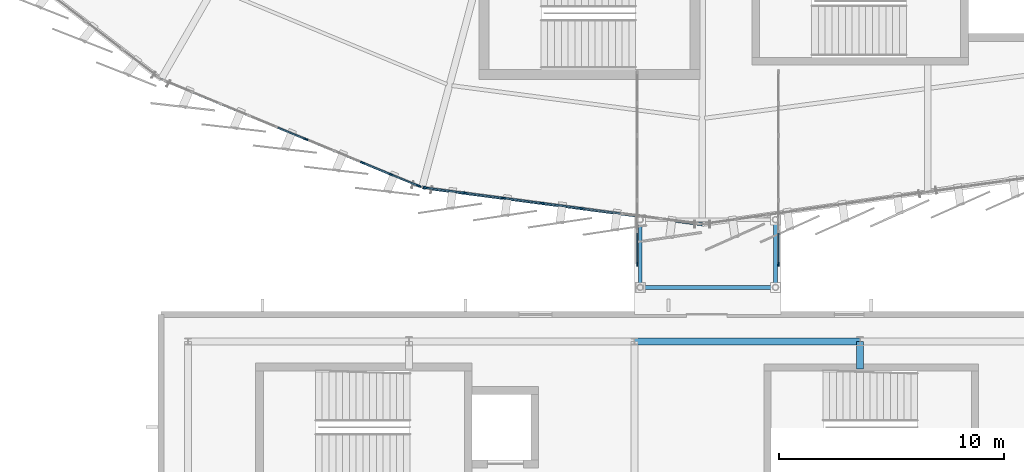
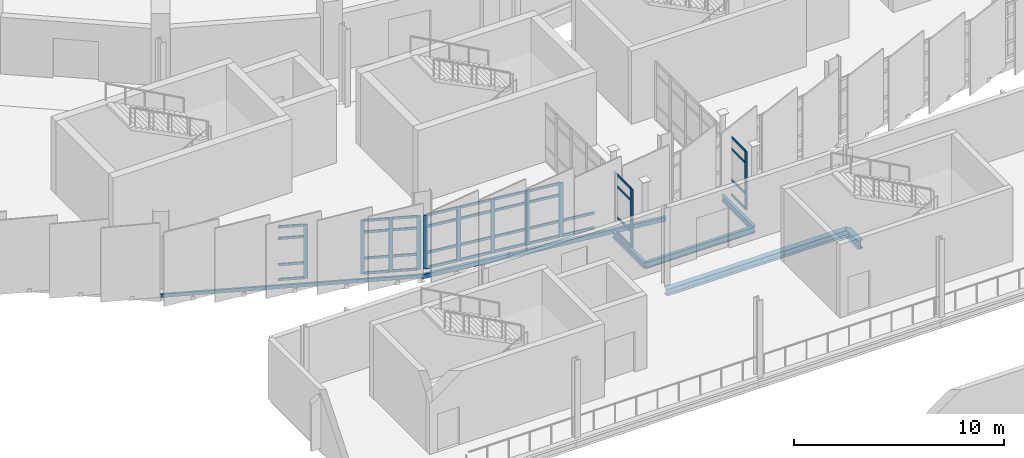
# One storey, part 33 of 134: 49 members, 7 beams, 4 elements without a shape of their own.
"""IFC4 building model written with IfcOpenShell, lengths in metres."""

from ifc_helpers import new_model, si_unit, direction, frame, origin, origin_2d, place, context, subcontext, project, spatial, rectangle, hollow_rectangle, i_section, extrude, material, layer, layer_set, material_profile, profile_set, type_object, element, aggregate, save


model = new_model("IFC4")

# Units and contexts
model_context = context("Model", 3, precision=1e-05, world=origin(), true_north=direction((0.0, 1.0)))
body_context = subcontext(model_context, "Body", "Model", "MODEL_VIEW")
ifc_project = project(units=[si_unit("LENGTHUNIT", "METRE"), si_unit("AREAUNIT", "SQUARE_METRE"), si_unit("VOLUMEUNIT", "CUBIC_METRE"), si_unit("PLANEANGLEUNIT", "RADIAN"), si_unit("MASSUNIT", "GRAM", prefix="KILO")], contexts=[model_context])

# Site, building, storey
site_placement = place(None, origin())
site = spatial("IfcSite", under=ifc_project, at=site_placement, CompositionType="ELEMENT")
building_placement = place(site_placement, origin())
building = spatial("IfcBuilding", under=site, at=building_placement, Name="Sohan Crest Arena", CompositionType="ELEMENT")
storey_placement = place(building_placement, frame((0.0, 0.0, 4.5)))
storey = spatial("IfcBuildingStorey", under=building, at=storey_placement, Name="L01", CompositionType="ELEMENT", Elevation=4.5)

# Curtain wall, member
ifc_material_1 = material(Name="Thermally broken anodised aluminium", Category="aluminium")
ifc_layer_1 = layer(ifc_material_1, 0.18994140625, Name="Thermally broken anodised aluminium")
ifc_layer_set_1 = layer_set([ifc_layer_1], Name="Thermally broken anodised aluminium")
curtain_wall_type_1 = type_object("IfcCurtainWallType", Name="ARC-CW05", PredefinedType="NOTDEFINED", material=ifc_layer_set_1)
curtain_wall_1_placement = place(storey_placement, origin())
curtain_wall_1 = element("IfcCurtainWall", 1, at=curtain_wall_1_placement, inside=storey, type_object=curtain_wall_type_1, Name="Unitised curtain wall CW-249", PredefinedType="NOTDEFINED")
ifc_material_profile_1 = material_profile(ifc_material_1, rectangle(XDim=0.06494140625, YDim=0.179931640625, at=origin_2d()), Name="ALU-MULL 65x180")
ifc_profile_set_1 = profile_set([ifc_material_profile_1], Name="Thermally broken anodised aluminium")
member_type_1 = type_object("IfcMemberType", Name="ARC-CW-ML02", PredefinedType="MULLION", material=ifc_profile_set_1)
member_1_placement = place(storey_placement, frame((95.1201171875, 28.232421875, 0.0), z_axis=(0.0, 0.0, 1.0), x_axis=(-1.0, 0.0, 0.0)))
member_1 = element("IfcMember", 2, at=member_1_placement, type_object=member_type_1, Name="CW-249 mullion 1", PredefinedType="MULLION", context=body_context, shape_type="SweptSolid", body=[
    extrude(rectangle(XDim=0.06494140625, YDim=0.179931640625, at=origin_2d()), origin(), (0.0, 0.0, 1.0), 3.39990234375),
])

curtain_wall_2_placement = place(storey_placement, origin())
curtain_wall_2 = element("IfcCurtainWall", 3, at=curtain_wall_2_placement, inside=storey, type_object=curtain_wall_type_1, Name="Unitised curtain wall CW-250", PredefinedType="NOTDEFINED")
member_2_placement = place(storey_placement, frame((101.3798828125, 28.232421875, 0.0), z_axis=(0.0, 0.0, 1.0), x_axis=(-1.0, 0.0, 0.0)))
member_2 = element("IfcMember", 4, at=member_2_placement, type_object=member_type_1, Name="CW-250 mullion 1", PredefinedType="MULLION", context=body_context, shape_type="SweptSolid", body=[
    extrude(rectangle(XDim=0.06494140625, YDim=0.179931640625, at=origin_2d()), origin(), (0.0, 0.0, 1.0), 3.39990234375),
])

# Curtain wall, members
curtain_wall_3_placement = place(storey_placement, origin())
curtain_wall_3 = element("IfcCurtainWall", 5, at=curtain_wall_3_placement, inside=storey, type_object=curtain_wall_type_1, Name="Unitised curtain wall CW-028", PredefinedType="NOTDEFINED")
ifc_material_profile_2 = material_profile(ifc_material_1, rectangle(XDim=0.070068359375, YDim=0.199951171875, at=origin_2d()), Name="ALU-MULL 70x200")
ifc_profile_set_2 = profile_set([ifc_material_profile_2], Name="Thermally broken anodised aluminium")
member_type_2 = type_object("IfcMemberType", Name="ARC-CW-ML03", PredefinedType="MULLION", material=ifc_profile_set_2)
member_3_placement = place(storey_placement, frame((80.418212890625, 33.772705078125, 0.0), z_axis=(0.0, 0.0, 1.0), x_axis=(0.382618103525, 0.923906589897, 0.0)))
member_3 = element("IfcMember", 6, at=member_3_placement, type_object=member_type_2, Name="CW-028 mullion 6", PredefinedType="MULLION", context=body_context, shape_type="SweptSolid", body=[
    extrude(rectangle(XDim=0.070068359375, YDim=0.199951171875, at=origin_2d()), origin(), (0.0, 0.0, 1.0), 3.1201171875),
])
member_4_placement = place(storey_placement, frame((82.937744140625, 32.729248046875, 0.0), z_axis=(0.0, 0.0, 1.0), x_axis=(0.382618103525, 0.923906589897, 0.0)))
member_4 = element("IfcMember", 7, at=member_4_placement, type_object=member_type_2, Name="CW-028 mullion 8", PredefinedType="MULLION", context=body_context, shape_type="SweptSolid", body=[
    extrude(rectangle(XDim=0.070068359375, YDim=0.199951171875, at=origin_2d()), origin(), (0.0, 0.0, 1.0), 3.1201171875),
])
member_5_placement = place(storey_placement, frame((84.197265625, 32.207763671875, 0.0), z_axis=(0.0, 0.0, 1.0), x_axis=(0.382618103525, 0.923906589897, 0.0)))
member_5 = element("IfcMember", 8, at=member_5_placement, type_object=member_type_2, Name="CW-028 mullion 9", PredefinedType="MULLION", context=body_context, shape_type="SweptSolid", body=[
    extrude(rectangle(XDim=0.070068359375, YDim=0.199951171875, at=origin_2d()), origin(), (0.0, 0.0, 1.0), 3.1201171875),
])
member_6_placement = place(storey_placement, frame((85.424560546875, 31.699462890625, 0.0), z_axis=(0.0, 0.0, 1.0), x_axis=(0.382618103525, 0.923906589897, 0.0)))
member_6 = element("IfcMember", 9, at=member_6_placement, type_object=member_type_2, Name="CW-028 mullion 10", PredefinedType="MULLION", context=body_context, shape_type="SweptSolid", body=[
    extrude(rectangle(XDim=0.070068359375, YDim=0.199951171875, at=origin_2d()), origin(), (0.0, 0.0, 1.0), 3.1201171875),
])

ifc_layer_2 = layer(ifc_material_1, 0.2099609375, Name="Thermally broken anodised aluminium")
ifc_layer_set_2 = layer_set([ifc_layer_2], Name="Thermally broken anodised aluminium")
curtain_wall_type_2 = type_object("IfcCurtainWallType", Name="ARC-CW06", PredefinedType="NOTDEFINED", material=ifc_layer_set_2)
curtain_wall_4_placement = place(storey_placement, origin())
curtain_wall_4 = element("IfcCurtainWall", 10, at=curtain_wall_4_placement, inside=storey, type_object=curtain_wall_type_2, Name="Unitised curtain wall CW-029", PredefinedType="NOTDEFINED")
ifc_material_profile_3 = material_profile(ifc_material_1, rectangle(XDim=0.074951171875, YDim=0.219970703125, at=origin_2d()), Name="ALU-MULL 75x220")
ifc_profile_set_3 = profile_set([ifc_material_profile_3], Name="Thermally broken anodised aluminium")
member_type_3 = type_object("IfcMemberType", Name="ARC-CW-ML04", PredefinedType="MULLION", material=ifc_profile_set_3)
member_7_placement = place(storey_placement, frame((85.7431640625, 31.614013671875, 0.0), z_axis=(0.0, 0.0, 1.0), x_axis=(0.130562031094, 0.991440142438, 0.0)))
member_7 = element("IfcMember", 11, at=member_7_placement, type_object=member_type_3, Name="CW-029 mullion 1", PredefinedType="MULLION", context=body_context, shape_type="SweptSolid", body=[
    extrude(rectangle(XDim=0.074951171875, YDim=0.219970703125, at=origin_2d()), origin(), (0.0, 0.0, 1.0), 3.1201171875),
])
member_8_placement = place(storey_placement, frame((87.44384765625, 31.39013671875, 0.0), z_axis=(0.0, 0.0, 1.0), x_axis=(0.130562031094, 0.991440142438, 0.0)))
member_8 = element("IfcMember", 12, at=member_8_placement, type_object=member_type_3, Name="CW-029 mullion 2", PredefinedType="MULLION", context=body_context, shape_type="SweptSolid", body=[
    extrude(rectangle(XDim=0.074951171875, YDim=0.219970703125, at=origin_2d()), origin(), (0.0, 0.0, 1.0), 3.1201171875),
])
member_9_placement = place(storey_placement, frame((89.181640625, 31.161376953125, 0.0), z_axis=(0.0, 0.0, 1.0), x_axis=(0.130562031094, 0.991440142438, 0.0)))
member_9 = element("IfcMember", 13, at=member_9_placement, type_object=member_type_3, Name="CW-029 mullion 3", PredefinedType="MULLION", context=body_context, shape_type="SweptSolid", body=[
    extrude(rectangle(XDim=0.074951171875, YDim=0.219970703125, at=origin_2d()), origin(), (0.0, 0.0, 1.0), 3.1201171875),
])
member_10_placement = place(storey_placement, frame((90.919677734375, 30.932373046875, 0.0), z_axis=(0.0, 0.0, 1.0), x_axis=(0.130562031094, 0.991440142438, 0.0)))
member_10 = element("IfcMember", 14, at=member_10_placement, type_object=member_type_3, Name="CW-029 mullion 4", PredefinedType="MULLION", context=body_context, shape_type="SweptSolid", body=[
    extrude(rectangle(XDim=0.074951171875, YDim=0.219970703125, at=origin_2d()), origin(), (0.0, 0.0, 1.0), 3.1201171875),
])
member_11_placement = place(storey_placement, frame((92.657470703125, 30.70361328125, 0.0), z_axis=(0.0, 0.0, 1.0), x_axis=(0.130562031094, 0.991440142438, 0.0)))
member_11 = element("IfcMember", 15, at=member_11_placement, type_object=member_type_3, Name="CW-029 mullion 5", PredefinedType="MULLION", context=body_context, shape_type="SweptSolid", body=[
    extrude(rectangle(XDim=0.074951171875, YDim=0.219970703125, at=origin_2d()), origin(), (0.0, 0.0, 1.0), 3.1201171875),
])

# Member
ifc_material_profile_4 = material_profile(ifc_material_1, rectangle(XDim=0.06005859375, YDim=0.1201171875, at=origin_2d()), Name="ALU-TRAN 60x120")
ifc_profile_set_4 = profile_set([ifc_material_profile_4], Name="Thermally broken anodised aluminium")
member_type_4 = type_object("IfcMemberType", Name="ARC-CW-TR01", PredefinedType="USERDEFINED", material=ifc_profile_set_4)
member_12_placement = place(storey_placement, frame((95.1201171875, 28.264892578125, 0.030029296875), z_axis=(0.0, 1.0, 0.0), x_axis=(-1.0, 0.0, 0.0)))
member_12 = element("IfcMember", 16, at=member_12_placement, type_object=member_type_4, Name="CW-249 transom 1.1", ObjectType="TRANSOM", PredefinedType="USERDEFINED", context=body_context, shape_type="SweptSolid", body=[
    extrude(rectangle(XDim=0.06005859375, YDim=0.1201171875, at=origin_2d()), origin(), (0.0, 0.0, 1.0), 1.3359375),
])

member_13_placement = place(storey_placement, frame((95.1201171875, 28.264892578125, 0.89990234375), z_axis=(0.0, 1.0, 0.0), x_axis=(-1.0, 0.0, 0.0)))
member_13 = element("IfcMember", 17, at=member_13_placement, type_object=member_type_4, Name="CW-249 transom 1.2", ObjectType="TRANSOM", PredefinedType="USERDEFINED", context=body_context, shape_type="SweptSolid", body=[
    extrude(rectangle(XDim=0.06005859375, YDim=0.1201171875, at=origin_2d()), origin(), (0.0, 0.0, 1.0), 1.3359375),
])

member_14_placement = place(storey_placement, frame((95.1201171875, 28.264892578125, 2.699951171875), z_axis=(0.0, 1.0, 0.0), x_axis=(-1.0, 0.0, 0.0)))
member_14 = element("IfcMember", 18, at=member_14_placement, type_object=member_type_4, Name="CW-249 transom 1.3", ObjectType="TRANSOM", PredefinedType="USERDEFINED", context=body_context, shape_type="SweptSolid", body=[
    extrude(rectangle(XDim=0.06005859375, YDim=0.1201171875, at=origin_2d()), origin(), (0.0, 0.0, 1.0), 1.3359375),
])

member_15_placement = place(storey_placement, frame((95.1201171875, 28.264892578125, 3.3701171875), z_axis=(0.0, 1.0, 0.0), x_axis=(-1.0, 0.0, 0.0)))
member_15 = element("IfcMember", 19, at=member_15_placement, type_object=member_type_4, Name="CW-249 transom 1.4", ObjectType="TRANSOM", PredefinedType="USERDEFINED", context=body_context, shape_type="SweptSolid", body=[
    extrude(rectangle(XDim=0.06005859375, YDim=0.1201171875, at=origin_2d()), origin(), (0.0, 0.0, 1.0), 1.3359375),
])

aggregate(curtain_wall_1, [member_1, member_12, member_13, member_14, member_15])

member_16_placement = place(storey_placement, frame((101.3798828125, 28.264892578125, 0.030029296875), z_axis=(0.0, 1.0, 0.0), x_axis=(-1.0, 0.0, 0.0)))
member_16 = element("IfcMember", 20, at=member_16_placement, type_object=member_type_4, Name="CW-250 transom 1.1", ObjectType="TRANSOM", PredefinedType="USERDEFINED", context=body_context, shape_type="SweptSolid", body=[
    extrude(rectangle(XDim=0.06005859375, YDim=0.1201171875, at=origin_2d()), origin(), (0.0, 0.0, 1.0), 1.3359375),
])

member_17_placement = place(storey_placement, frame((101.3798828125, 28.264892578125, 0.89990234375), z_axis=(0.0, 1.0, 0.0), x_axis=(-1.0, 0.0, 0.0)))
member_17 = element("IfcMember", 21, at=member_17_placement, type_object=member_type_4, Name="CW-250 transom 1.2", ObjectType="TRANSOM", PredefinedType="USERDEFINED", context=body_context, shape_type="SweptSolid", body=[
    extrude(rectangle(XDim=0.06005859375, YDim=0.1201171875, at=origin_2d()), origin(), (0.0, 0.0, 1.0), 1.3359375),
])

member_18_placement = place(storey_placement, frame((101.3798828125, 28.264892578125, 2.699951171875), z_axis=(0.0, 1.0, 0.0), x_axis=(-1.0, 0.0, 0.0)))
member_18 = element("IfcMember", 22, at=member_18_placement, type_object=member_type_4, Name="CW-250 transom 1.3", ObjectType="TRANSOM", PredefinedType="USERDEFINED", context=body_context, shape_type="SweptSolid", body=[
    extrude(rectangle(XDim=0.06005859375, YDim=0.1201171875, at=origin_2d()), origin(), (0.0, 0.0, 1.0), 1.3359375),
])

member_19_placement = place(storey_placement, frame((101.3798828125, 28.264892578125, 3.3701171875), z_axis=(0.0, 1.0, 0.0), x_axis=(-1.0, 0.0, 0.0)))
member_19 = element("IfcMember", 23, at=member_19_placement, type_object=member_type_4, Name="CW-250 transom 1.4", ObjectType="TRANSOM", PredefinedType="USERDEFINED", context=body_context, shape_type="SweptSolid", body=[
    extrude(rectangle(XDim=0.06005859375, YDim=0.1201171875, at=origin_2d()), origin(), (0.0, 0.0, 1.0), 1.3359375),
])

aggregate(curtain_wall_2, [member_2, member_16, member_17, member_18, member_19])

ifc_material_profile_5 = material_profile(ifc_material_1, rectangle(XDim=0.06494140625, YDim=0.139892578125, at=origin_2d()), Name="ALU-TRAN 65x140")
ifc_profile_set_5 = profile_set([ifc_material_profile_5], Name="Thermally broken anodised aluminium")
member_type_5 = type_object("IfcMemberType", Name="ARC-CW-TR02", PredefinedType="USERDEFINED", material=ifc_profile_set_5)
member_20_placement = place(storey_placement, frame((79.19091796875, 34.281005859375, 0.032470703125), z_axis=(0.923917924779, -0.382590732079, 0.0), x_axis=(0.382590732079, 0.923917924779, 0.0)))
member_20 = element("IfcMember", 24, at=member_20_placement, type_object=member_type_5, Name="CW-028 transom 5.1", ObjectType="TRANSOM", PredefinedType="USERDEFINED", context=body_context, shape_type="SweptSolid", body=[
    extrude(rectangle(XDim=0.06494140625, YDim=0.139892578125, at=origin_2d()), origin(), (0.0, 0.0, 1.0), 1.29345703125),
])

member_21_placement = place(storey_placement, frame((79.19091796875, 34.281005859375, 0.89990234375), z_axis=(0.923917924779, -0.382590732079, 0.0), x_axis=(0.382590732079, 0.923917924779, 0.0)))
member_21 = element("IfcMember", 25, at=member_21_placement, type_object=member_type_5, Name="CW-028 transom 5.2", ObjectType="TRANSOM", PredefinedType="USERDEFINED", context=body_context, shape_type="SweptSolid", body=[
    extrude(rectangle(XDim=0.06494140625, YDim=0.139892578125, at=origin_2d()), origin(), (0.0, 0.0, 1.0), 1.29345703125),
])

member_22_placement = place(storey_placement, frame((79.19091796875, 34.281005859375, 2.419921875), z_axis=(0.923917924779, -0.382590732079, 0.0), x_axis=(0.382590732079, 0.923917924779, 0.0)))
member_22 = element("IfcMember", 26, at=member_22_placement, type_object=member_type_5, Name="CW-028 transom 5.3", ObjectType="TRANSOM", PredefinedType="USERDEFINED", context=body_context, shape_type="SweptSolid", body=[
    extrude(rectangle(XDim=0.06494140625, YDim=0.139892578125, at=origin_2d()), origin(), (0.0, 0.0, 1.0), 1.29345703125),
])

member_23_placement = place(storey_placement, frame((79.19091796875, 34.281005859375, 3.08740234375), z_axis=(0.923917924779, -0.382590732079, 0.0), x_axis=(0.382590732079, 0.923917924779, 0.0)))
member_23 = element("IfcMember", 27, at=member_23_placement, type_object=member_type_5, Name="CW-028 transom 5.4", ObjectType="TRANSOM", PredefinedType="USERDEFINED", context=body_context, shape_type="SweptSolid", body=[
    extrude(rectangle(XDim=0.06494140625, YDim=0.139892578125, at=origin_2d()), origin(), (0.0, 0.0, 1.0), 1.29345703125),
])

member_24_placement = place(storey_placement, frame((82.969970703125, 32.7158203125, 0.032470703125), z_axis=(0.923917924779, -0.382590732079, 0.0), x_axis=(0.382590732079, 0.923917924779, 0.0)))
member_24 = element("IfcMember", 28, at=member_24_placement, type_object=member_type_5, Name="CW-028 transom 8.1", ObjectType="TRANSOM", PredefinedType="USERDEFINED", context=body_context, shape_type="SweptSolid", body=[
    extrude(rectangle(XDim=0.06494140625, YDim=0.139892578125, at=origin_2d()), origin(), (0.0, 0.0, 1.0), 1.29345703125),
])

member_25_placement = place(storey_placement, frame((82.969970703125, 32.7158203125, 0.89990234375), z_axis=(0.923917924779, -0.382590732079, 0.0), x_axis=(0.382590732079, 0.923917924779, 0.0)))
member_25 = element("IfcMember", 29, at=member_25_placement, type_object=member_type_5, Name="CW-028 transom 8.2", ObjectType="TRANSOM", PredefinedType="USERDEFINED", context=body_context, shape_type="SweptSolid", body=[
    extrude(rectangle(XDim=0.06494140625, YDim=0.139892578125, at=origin_2d()), origin(), (0.0, 0.0, 1.0), 1.29345703125),
])

member_26_placement = place(storey_placement, frame((82.969970703125, 32.7158203125, 2.419921875), z_axis=(0.923917924779, -0.382590732079, 0.0), x_axis=(0.382590732079, 0.923917924779, 0.0)))
member_26 = element("IfcMember", 30, at=member_26_placement, type_object=member_type_5, Name="CW-028 transom 8.3", ObjectType="TRANSOM", PredefinedType="USERDEFINED", context=body_context, shape_type="SweptSolid", body=[
    extrude(rectangle(XDim=0.06494140625, YDim=0.139892578125, at=origin_2d()), origin(), (0.0, 0.0, 1.0), 1.29345703125),
])

member_27_placement = place(storey_placement, frame((82.969970703125, 32.7158203125, 3.08740234375), z_axis=(0.923917924779, -0.382590732079, 0.0), x_axis=(0.382590732079, 0.923917924779, 0.0)))
member_27 = element("IfcMember", 31, at=member_27_placement, type_object=member_type_5, Name="CW-028 transom 8.4", ObjectType="TRANSOM", PredefinedType="USERDEFINED", context=body_context, shape_type="SweptSolid", body=[
    extrude(rectangle(XDim=0.06494140625, YDim=0.139892578125, at=origin_2d()), origin(), (0.0, 0.0, 1.0), 1.29345703125),
])

member_28_placement = place(storey_placement, frame((84.229736328125, 32.1943359375, 0.032470703125), z_axis=(0.923912796816, -0.382603115355, 0.0), x_axis=(0.382603115355, 0.923912796816, 0.0)))
member_28 = element("IfcMember", 32, at=member_28_placement, type_object=member_type_5, Name="CW-028 transom 9.1", ObjectType="TRANSOM", PredefinedType="USERDEFINED", context=body_context, shape_type="SweptSolid", body=[
    extrude(rectangle(XDim=0.06494140625, YDim=0.139892578125, at=origin_2d()), origin(), (0.0, 0.0, 1.0), 1.25830078125),
])

member_29_placement = place(storey_placement, frame((84.229736328125, 32.1943359375, 0.89990234375), z_axis=(0.923912796816, -0.382603115355, 0.0), x_axis=(0.382603115355, 0.923912796816, 0.0)))
member_29 = element("IfcMember", 33, at=member_29_placement, type_object=member_type_5, Name="CW-028 transom 9.2", ObjectType="TRANSOM", PredefinedType="USERDEFINED", context=body_context, shape_type="SweptSolid", body=[
    extrude(rectangle(XDim=0.06494140625, YDim=0.139892578125, at=origin_2d()), origin(), (0.0, 0.0, 1.0), 1.25830078125),
])

member_30_placement = place(storey_placement, frame((84.229736328125, 32.1943359375, 2.419921875), z_axis=(0.923912796816, -0.382603115355, 0.0), x_axis=(0.382603115355, 0.923912796816, 0.0)))
member_30 = element("IfcMember", 34, at=member_30_placement, type_object=member_type_5, Name="CW-028 transom 9.3", ObjectType="TRANSOM", PredefinedType="USERDEFINED", context=body_context, shape_type="SweptSolid", body=[
    extrude(rectangle(XDim=0.06494140625, YDim=0.139892578125, at=origin_2d()), origin(), (0.0, 0.0, 1.0), 1.25830078125),
])

member_31_placement = place(storey_placement, frame((84.229736328125, 32.1943359375, 3.08740234375), z_axis=(0.923912796816, -0.382603115355, 0.0), x_axis=(0.382603115355, 0.923912796816, 0.0)))
member_31 = element("IfcMember", 35, at=member_31_placement, type_object=member_type_5, Name="CW-028 transom 9.4", ObjectType="TRANSOM", PredefinedType="USERDEFINED", context=body_context, shape_type="SweptSolid", body=[
    extrude(rectangle(XDim=0.06494140625, YDim=0.139892578125, at=origin_2d()), origin(), (0.0, 0.0, 1.0), 1.25830078125),
])

aggregate(curtain_wall_3, [member_3, member_4, member_5, member_6, member_20, member_21, member_22, member_23, member_24, member_25, member_26, member_27, member_28, member_29, member_30, member_31])

ifc_material_profile_6 = material_profile(ifc_material_1, rectangle(XDim=0.070068359375, YDim=0.14990234375, at=origin_2d()), Name="ALU-TRAN 70x150")
ifc_profile_set_6 = profile_set([ifc_material_profile_6], Name="Thermally broken anodised aluminium")
member_type_6 = type_object("IfcMemberType", Name="ARC-CW-TR03", PredefinedType="USERDEFINED", material=ifc_profile_set_6)
member_32_placement = place(storey_placement, frame((85.7802734375, 31.609130859375, 0.034912109375), z_axis=(0.991446189008, -0.130516107439, 0.0), x_axis=(0.130516107439, 0.991446189008, 0.0)))
member_32 = element("IfcMember", 36, at=member_32_placement, type_object=member_type_6, Name="CW-029 transom 1.1", ObjectType="TRANSOM", PredefinedType="USERDEFINED", context=body_context, shape_type="SweptSolid", body=[
    extrude(rectangle(XDim=0.070068359375, YDim=0.14990234375, at=origin_2d()), origin(), (0.0, 0.0, 1.0), 1.640380859375),
])

member_33_placement = place(storey_placement, frame((85.7802734375, 31.609130859375, 0.89990234375), z_axis=(0.991446189008, -0.130516107439, 0.0), x_axis=(0.130516107439, 0.991446189008, 0.0)))
member_33 = element("IfcMember", 37, at=member_33_placement, type_object=member_type_6, Name="CW-029 transom 1.2", ObjectType="TRANSOM", PredefinedType="USERDEFINED", context=body_context, shape_type="SweptSolid", body=[
    extrude(rectangle(XDim=0.070068359375, YDim=0.14990234375, at=origin_2d()), origin(), (0.0, 0.0, 1.0), 1.640380859375),
])

member_34_placement = place(storey_placement, frame((85.7802734375, 31.609130859375, 2.419921875), z_axis=(0.991446189008, -0.130516107439, 0.0), x_axis=(0.130516107439, 0.991446189008, 0.0)))
member_34 = element("IfcMember", 38, at=member_34_placement, type_object=member_type_6, Name="CW-029 transom 1.3", ObjectType="TRANSOM", PredefinedType="USERDEFINED", context=body_context, shape_type="SweptSolid", body=[
    extrude(rectangle(XDim=0.070068359375, YDim=0.14990234375, at=origin_2d()), origin(), (0.0, 0.0, 1.0), 1.640380859375),
])

member_35_placement = place(storey_placement, frame((85.7802734375, 31.609130859375, 3.0849609375), z_axis=(0.991446189008, -0.130516107439, 0.0), x_axis=(0.130516107439, 0.991446189008, 0.0)))
member_35 = element("IfcMember", 39, at=member_35_placement, type_object=member_type_6, Name="CW-029 transom 1.4", ObjectType="TRANSOM", PredefinedType="USERDEFINED", context=body_context, shape_type="SweptSolid", body=[
    extrude(rectangle(XDim=0.070068359375, YDim=0.14990234375, at=origin_2d()), origin(), (0.0, 0.0, 1.0), 1.640380859375),
])

member_36_placement = place(storey_placement, frame((87.48095703125, 31.38525390625, 0.034912109375), z_axis=(0.991446369881, -0.130514733458, 0.0), x_axis=(0.130514733458, 0.991446369881, 0.0)))
member_36 = element("IfcMember", 40, at=member_36_placement, type_object=member_type_6, Name="CW-029 transom 2.1", ObjectType="TRANSOM", PredefinedType="USERDEFINED", context=body_context, shape_type="SweptSolid", body=[
    extrude(rectangle(XDim=0.070068359375, YDim=0.14990234375, at=origin_2d()), origin(), (0.0, 0.0, 1.0), 1.677978515625),
])

member_37_placement = place(storey_placement, frame((87.48095703125, 31.38525390625, 0.89990234375), z_axis=(0.991446369881, -0.130514733458, 0.0), x_axis=(0.130514733458, 0.991446369881, 0.0)))
member_37 = element("IfcMember", 41, at=member_37_placement, type_object=member_type_6, Name="CW-029 transom 2.2", ObjectType="TRANSOM", PredefinedType="USERDEFINED", context=body_context, shape_type="SweptSolid", body=[
    extrude(rectangle(XDim=0.070068359375, YDim=0.14990234375, at=origin_2d()), origin(), (0.0, 0.0, 1.0), 1.677978515625),
])

member_38_placement = place(storey_placement, frame((87.48095703125, 31.38525390625, 2.419921875), z_axis=(0.991446369881, -0.130514733458, 0.0), x_axis=(0.130514733458, 0.991446369881, 0.0)))
member_38 = element("IfcMember", 42, at=member_38_placement, type_object=member_type_6, Name="CW-029 transom 2.3", ObjectType="TRANSOM", PredefinedType="USERDEFINED", context=body_context, shape_type="SweptSolid", body=[
    extrude(rectangle(XDim=0.070068359375, YDim=0.14990234375, at=origin_2d()), origin(), (0.0, 0.0, 1.0), 1.677978515625),
])

member_39_placement = place(storey_placement, frame((87.48095703125, 31.38525390625, 3.0849609375), z_axis=(0.991446369881, -0.130514733458, 0.0), x_axis=(0.130514733458, 0.991446369881, 0.0)))
member_39 = element("IfcMember", 43, at=member_39_placement, type_object=member_type_6, Name="CW-029 transom 2.4", ObjectType="TRANSOM", PredefinedType="USERDEFINED", context=body_context, shape_type="SweptSolid", body=[
    extrude(rectangle(XDim=0.070068359375, YDim=0.14990234375, at=origin_2d()), origin(), (0.0, 0.0, 1.0), 1.677978515625),
])

member_40_placement = place(storey_placement, frame((89.218994140625, 31.156494140625, 0.034912109375), z_axis=(0.991425047875, -0.130676602523, 0.0), x_axis=(0.130676602523, 0.991425047875, 0.0)))
member_40 = element("IfcMember", 44, at=member_40_placement, type_object=member_type_6, Name="CW-029 transom 3.1", ObjectType="TRANSOM", PredefinedType="USERDEFINED", context=body_context, shape_type="SweptSolid", body=[
    extrude(rectangle(XDim=0.070068359375, YDim=0.14990234375, at=origin_2d()), origin(), (0.0, 0.0, 1.0), 1.677734375),
])

member_41_placement = place(storey_placement, frame((89.218994140625, 31.156494140625, 0.89990234375), z_axis=(0.991425047875, -0.130676602523, 0.0), x_axis=(0.130676602523, 0.991425047875, 0.0)))
member_41 = element("IfcMember", 45, at=member_41_placement, type_object=member_type_6, Name="CW-029 transom 3.2", ObjectType="TRANSOM", PredefinedType="USERDEFINED", context=body_context, shape_type="SweptSolid", body=[
    extrude(rectangle(XDim=0.070068359375, YDim=0.14990234375, at=origin_2d()), origin(), (0.0, 0.0, 1.0), 1.677734375),
])

member_42_placement = place(storey_placement, frame((89.218994140625, 31.156494140625, 2.419921875), z_axis=(0.991425047875, -0.130676602523, 0.0), x_axis=(0.130676602523, 0.991425047875, 0.0)))
member_42 = element("IfcMember", 46, at=member_42_placement, type_object=member_type_6, Name="CW-029 transom 3.3", ObjectType="TRANSOM", PredefinedType="USERDEFINED", context=body_context, shape_type="SweptSolid", body=[
    extrude(rectangle(XDim=0.070068359375, YDim=0.14990234375, at=origin_2d()), origin(), (0.0, 0.0, 1.0), 1.677734375),
])

member_43_placement = place(storey_placement, frame((89.218994140625, 31.156494140625, 3.0849609375), z_axis=(0.991425047875, -0.130676602523, 0.0), x_axis=(0.130676602523, 0.991425047875, 0.0)))
member_43 = element("IfcMember", 47, at=member_43_placement, type_object=member_type_6, Name="CW-029 transom 3.4", ObjectType="TRANSOM", PredefinedType="USERDEFINED", context=body_context, shape_type="SweptSolid", body=[
    extrude(rectangle(XDim=0.070068359375, YDim=0.14990234375, at=origin_2d()), origin(), (0.0, 0.0, 1.0), 1.677734375),
])

member_44_placement = place(storey_placement, frame((90.956787109375, 30.927490234375, 0.034912109375), z_axis=(0.991446369881, -0.130514733458, 0.0), x_axis=(0.130514733458, 0.991446369881, 0.0)))
member_44 = element("IfcMember", 48, at=member_44_placement, type_object=member_type_6, Name="CW-029 transom 4.1", ObjectType="TRANSOM", PredefinedType="USERDEFINED", context=body_context, shape_type="SweptSolid", body=[
    extrude(rectangle(XDim=0.070068359375, YDim=0.14990234375, at=origin_2d()), origin(), (0.0, 0.0, 1.0), 1.677978515625),
])

member_45_placement = place(storey_placement, frame((90.956787109375, 30.927490234375, 0.89990234375), z_axis=(0.991446369881, -0.130514733458, 0.0), x_axis=(0.130514733458, 0.991446369881, 0.0)))
member_45 = element("IfcMember", 49, at=member_45_placement, type_object=member_type_6, Name="CW-029 transom 4.2", ObjectType="TRANSOM", PredefinedType="USERDEFINED", context=body_context, shape_type="SweptSolid", body=[
    extrude(rectangle(XDim=0.070068359375, YDim=0.14990234375, at=origin_2d()), origin(), (0.0, 0.0, 1.0), 1.677978515625),
])

member_46_placement = place(storey_placement, frame((90.956787109375, 30.927490234375, 2.419921875), z_axis=(0.991446369881, -0.130514733458, 0.0), x_axis=(0.130514733458, 0.991446369881, 0.0)))
member_46 = element("IfcMember", 50, at=member_46_placement, type_object=member_type_6, Name="CW-029 transom 4.3", ObjectType="TRANSOM", PredefinedType="USERDEFINED", context=body_context, shape_type="SweptSolid", body=[
    extrude(rectangle(XDim=0.070068359375, YDim=0.14990234375, at=origin_2d()), origin(), (0.0, 0.0, 1.0), 1.677978515625),
])

member_47_placement = place(storey_placement, frame((90.956787109375, 30.927490234375, 3.0849609375), z_axis=(0.991446369881, -0.130514733458, 0.0), x_axis=(0.130514733458, 0.991446369881, 0.0)))
member_47 = element("IfcMember", 51, at=member_47_placement, type_object=member_type_6, Name="CW-029 transom 4.4", ObjectType="TRANSOM", PredefinedType="USERDEFINED", context=body_context, shape_type="SweptSolid", body=[
    extrude(rectangle(XDim=0.070068359375, YDim=0.14990234375, at=origin_2d()), origin(), (0.0, 0.0, 1.0), 1.677978515625),
])

member_48_placement = place(storey_placement, frame((92.694580078125, 30.69873046875, 0.034912109375), z_axis=(0.991427532284, -0.130657752273, 0.0), x_axis=(0.130657752273, 0.991427532284, 0.0)))
member_48 = element("IfcMember", 52, at=member_48_placement, type_object=member_type_6, Name="CW-029 transom 5.1", ObjectType="TRANSOM", PredefinedType="USERDEFINED", context=body_context, shape_type="SweptSolid", body=[
    extrude(rectangle(XDim=0.070068359375, YDim=0.14990234375, at=origin_2d()), origin(), (0.0, 0.0, 1.0), 1.677978515625),
])

member_49_placement = place(storey_placement, frame((92.694580078125, 30.69873046875, 0.89990234375), z_axis=(0.991427532284, -0.130657752273, 0.0), x_axis=(0.130657752273, 0.991427532284, 0.0)))
member_49 = element("IfcMember", 53, at=member_49_placement, type_object=member_type_6, Name="CW-029 transom 5.2", ObjectType="TRANSOM", PredefinedType="USERDEFINED", context=body_context, shape_type="SweptSolid", body=[
    extrude(rectangle(XDim=0.070068359375, YDim=0.14990234375, at=origin_2d()), origin(), (0.0, 0.0, 1.0), 1.677978515625),
])

aggregate(curtain_wall_4, [member_7, member_8, member_9, member_10, member_11, member_32, member_33, member_34, member_35, member_36, member_37, member_38, member_39, member_40, member_41, member_42, member_43, member_44, member_45, member_46, member_47, member_48, member_49])

# Beams
ifc_material_2 = material(Name="Steel S355", Category="steel")
ifc_material_profile_7 = material_profile(ifc_material_2, i_section(OverallWidth=0.169921875, OverallDepth=0.360107421875, WebThickness=0.008056640625, FlangeThickness=0.0126953125, at=origin_2d()), Name="IPE 360")
ifc_profile_set_7 = profile_set([ifc_material_profile_7], Name="Steel S355")
beam_type_1 = type_object("IfcBeamType", Name="STR-BM-B02", PredefinedType="JOIST", material=ifc_profile_set_7)
for number, where, z_axis, x_axis, name in (
    (54, (95.25, 27.199951171875, -0.455078125), (0.0, 1.0, 0.0), (-1.0, 0.0, 0.0), "Structural beam BG-L01-2988"),
    (55, (101.25, 27.199951171875, -0.455078125), (0.0, 1.0, 0.0), (-1.0, 0.0, 0.0), "Structural beam BG-L01-2989"),
):
    element("IfcBeam", number, at=place(storey_placement, frame(where, z_axis=z_axis, x_axis=x_axis)), inside=storey, type_object=beam_type_1, Name=name, PredefinedType="JOIST", context=body_context, shape_type="SweptSolid", body=[
        extrude(i_section(OverallWidth=0.169921875, OverallDepth=0.360107421875, WebThickness=0.008056640625, FlangeThickness=0.0126953125, at=origin_2d()), origin(), (0.0, 0.0, 1.0), 3.0),
    ])
beam_1_placement = place(storey_placement, frame((95.25, 27.199951171875, -0.455078125), z_axis=(1.0, 0.0, 0.0), x_axis=(0.0, 1.0, 0.0)))
element("IfcBeam", 56, at=beam_1_placement, inside=storey, type_object=beam_type_1, Name="Structural beam BG-L01-2990", PredefinedType="JOIST", context=body_context, shape_type="SweptSolid", body=[
    extrude(i_section(OverallWidth=0.169921875, OverallDepth=0.360107421875, WebThickness=0.008056640625, FlangeThickness=0.0126953125, at=origin_2d()), origin(), (0.0, 0.0, 1.0), 6.0),
])
ifc_material_profile_8 = material_profile(ifc_material_2, i_section(OverallWidth=0.300048828125, OverallDepth=0.389892578125, WebThickness=0.010986328125, FlangeThickness=0.01904296875, at=origin_2d()), Name="HEA 400")
ifc_profile_set_8 = profile_set([ifc_material_profile_8], Name="Steel S355")
beam_type_2 = type_object("IfcBeamType", Name="STR-BM-B09", PredefinedType="BEAM", material=ifc_profile_set_8)
beam_2_placement = place(storey_placement, frame((95.0, 24.800048828125, -0.445068359375), z_axis=(1.0, 0.0, 0.0), x_axis=(0.0, 1.0, 0.0)))
element("IfcBeam", 57, at=beam_2_placement, inside=storey, type_object=beam_type_2, Name="Structural beam G-L01-2621", PredefinedType="BEAM", context=body_context, shape_type="SweptSolid", body=[
    extrude(i_section(OverallWidth=0.300048828125, OverallDepth=0.389892578125, WebThickness=0.010986328125, FlangeThickness=0.01904296875, at=origin_2d()), origin(), (0.0, 0.0, 1.0), 10.0),
])
ifc_material_profile_9 = material_profile(ifc_material_2, i_section(OverallWidth=0.300048828125, OverallDepth=0.489990234375, WebThickness=0.011962890625, FlangeThickness=0.02294921875, at=origin_2d()), Name="HEA 500")
ifc_profile_set_9 = profile_set([ifc_material_profile_9], Name="Steel S355")
beam_type_3 = type_object("IfcBeamType", Name="STR-BM-B10", PredefinedType="BEAM", material=ifc_profile_set_9)
beam_3_placement = place(storey_placement, frame((105.0, 23.580078125, -0.4951171875), z_axis=(0.0, 1.0, 0.0), x_axis=(-1.0, 0.0, 0.0)))
element("IfcBeam", 58, at=beam_3_placement, inside=storey, type_object=beam_type_3, Name="Structural beam G-L01-2578", PredefinedType="BEAM", context=body_context, shape_type="SweptSolid", body=[
    extrude(i_section(OverallWidth=0.300048828125, OverallDepth=0.489990234375, WebThickness=0.011962890625, FlangeThickness=0.02294921875, at=origin_2d()), origin(), (0.0, 0.0, 1.0), 1.219970703125),
])
ifc_material_profile_10 = material_profile(ifc_material_2, hollow_rectangle(XDim=0.10009765625, YDim=0.199951171875, WallThickness=0.008056640625, at=origin_2d()), Name="RHS 200x100x8")
ifc_profile_set_10 = profile_set([ifc_material_profile_10], Name="Steel S355")
beam_type_4 = type_object("IfcBeamType", Name="STR-BM-SP01", PredefinedType="SPANDREL", material=ifc_profile_set_10)
beam_4_placement = place(storey_placement, frame((74.0, 36.430908203125, -0.375), z_axis=(0.923890504882, -0.382656941645, 0.0), x_axis=(0.382656941645, 0.923890504882, 0.0)))
element("IfcBeam", 59, at=beam_4_placement, inside=storey, type_object=beam_type_4, Name="Structural beam SP-L01-1133", PredefinedType="SPANDREL", context=body_context, shape_type="SweptSolid", body=[
    extrude(hollow_rectangle(XDim=0.10009765625, YDim=0.199951171875, WallThickness=0.008056640625, at=origin_2d()), origin(), (0.0, 0.0, 1.0), 12.530517578125),
])
ifc_material_profile_11 = material_profile(ifc_material_2, hollow_rectangle(XDim=0.14990234375, YDim=0.25, WallThickness=0.010009765625, at=origin_2d()), Name="RHS 250x150x10")
ifc_profile_set_11 = profile_set([ifc_material_profile_11], Name="Steel S355")
beam_type_5 = type_object("IfcBeamType", Name="STR-BM-SP02", PredefinedType="SPANDREL", material=ifc_profile_set_11)
beam_5_placement = place(storey_placement, frame((85.576904296875, 31.635986328125, -0.39990234375), z_axis=(0.991440164207, -0.130561865783, 0.0), x_axis=(0.130561865783, 0.991440164207, 0.0)))
element("IfcBeam", 60, at=beam_5_placement, inside=storey, type_object=beam_type_5, Name="Structural beam SP-L01-1137", PredefinedType="SPANDREL", context=body_context, shape_type="SweptSolid", body=[
    extrude(hollow_rectangle(XDim=0.14990234375, YDim=0.25, WallThickness=0.010009765625, at=origin_2d()), origin(), (0.0, 0.0, 1.0), 12.5302734375),
])

save(model, "model.ifc")
